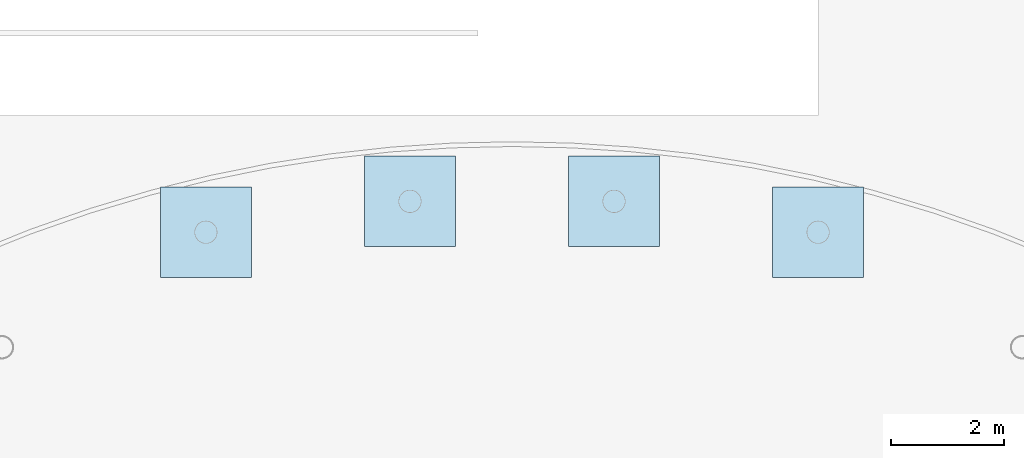
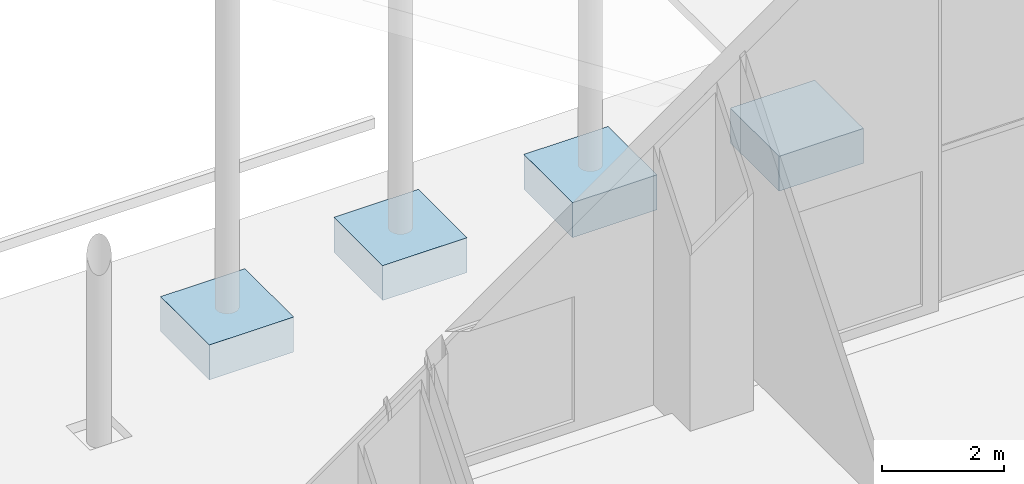
# One storey, part 1 of 36: 4 footings.
"""IFC4 building model written with IfcOpenShell, lengths in metres."""

from ifc_helpers import new_model, si_unit, direction, frame, origin, place, context, subcontext, project, spatial, polyline, outline, extrude, material, type_object, element, save


model = new_model("IFC4")

# Units and contexts
model_context = context("Model", 3, precision=1e-05, world=origin(), true_north=direction((0.0, 1.0)))
body_context = subcontext(model_context, "Body", "Model", "MODEL_VIEW")
ifc_project = project(units=[si_unit("LENGTHUNIT", "METRE"), si_unit("AREAUNIT", "SQUARE_METRE"), si_unit("VOLUMEUNIT", "CUBIC_METRE"), si_unit("PLANEANGLEUNIT", "RADIAN"), si_unit("MASSUNIT", "GRAM", prefix="KILO")], contexts=[model_context])

# Site, building, storey
site_placement = place(None, origin())
site = spatial("IfcSite", under=ifc_project, at=site_placement, CompositionType="ELEMENT")
building_placement = place(site_placement, origin())
building = spatial("IfcBuilding", under=site, at=building_placement, Name="Cobrizo Arcos Hotel Tower", CompositionType="ELEMENT")
storey_placement = place(building_placement, origin())
storey = spatial("IfcBuildingStorey", under=building, at=storey_placement, Name="L00", CompositionType="ELEMENT", Elevation=0.0)

# Footings
ifc_material = material(Name="Concrete f'c 30 MPa", Category="concrete")
footing_type = type_object("IfcFootingType", Name="Canopy pad footing 1600 x 1600", PredefinedType="PAD_FOOTING", material=ifc_material)
footing_1_placement = place(storey_placement, frame((0.0, 0.0, -0.699951171875)))
element("IfcFooting", 1, at=footing_1_placement, inside=storey, type_object=footing_type, Name="Site canopy pad 1", PredefinedType="PAD_FOOTING", context=body_context, shape_type="SweptSolid", body=[
    extrude(outline(polyline([(-15.39990234375, 30.03271484375), (-15.39990234375, 31.6328125), (-17.0, 31.6328125), (-17.0, 30.03271484375), (-15.39990234375, 30.03271484375)])), origin(), (0.0, 0.0, 1.0), 0.699951171875),
])
footing_2_placement = place(storey_placement, frame((0.0, 0.0, -0.699951171875)))
element("IfcFooting", 2, at=footing_2_placement, inside=storey, type_object=footing_type, Name="Site canopy pad 2", PredefinedType="PAD_FOOTING", context=body_context, shape_type="SweptSolid", body=[
    extrude(outline(polyline([(-11.800048828125, 30.03271484375), (-11.800048828125, 31.6328125), (-13.39990234375, 31.6328125), (-13.39990234375, 30.03271484375), (-11.800048828125, 30.03271484375)])), origin(), (0.0, 0.0, 1.0), 0.699951171875),
])
footing_3_placement = place(storey_placement, frame((0.0, 0.0, -0.699951171875)))
element("IfcFooting", 3, at=footing_3_placement, inside=storey, type_object=footing_type, Name="Site canopy pad 3", PredefinedType="PAD_FOOTING", context=body_context, shape_type="SweptSolid", body=[
    extrude(outline(polyline([(-19.0, 29.48828125), (-19.0, 31.08837890625), (-20.60009765625, 31.08837890625), (-20.60009765625, 29.48828125), (-19.0, 29.48828125)])), origin(), (0.0, 0.0, 1.0), 0.699951171875),
])
footing_4_placement = place(storey_placement, frame((0.0, 0.0, -0.699951171875)))
element("IfcFooting", 4, at=footing_4_placement, inside=storey, type_object=footing_type, Name="Site canopy pad 4", PredefinedType="PAD_FOOTING", context=body_context, shape_type="SweptSolid", body=[
    extrude(outline(polyline([(-8.199951171875, 29.48828125), (-8.199951171875, 31.08837890625), (-9.800048828125, 31.08837890625), (-9.800048828125, 29.48828125), (-8.199951171875, 29.48828125)])), origin(), (0.0, 0.0, 1.0), 0.699951171875),
])

save(model, "model.ifc")
